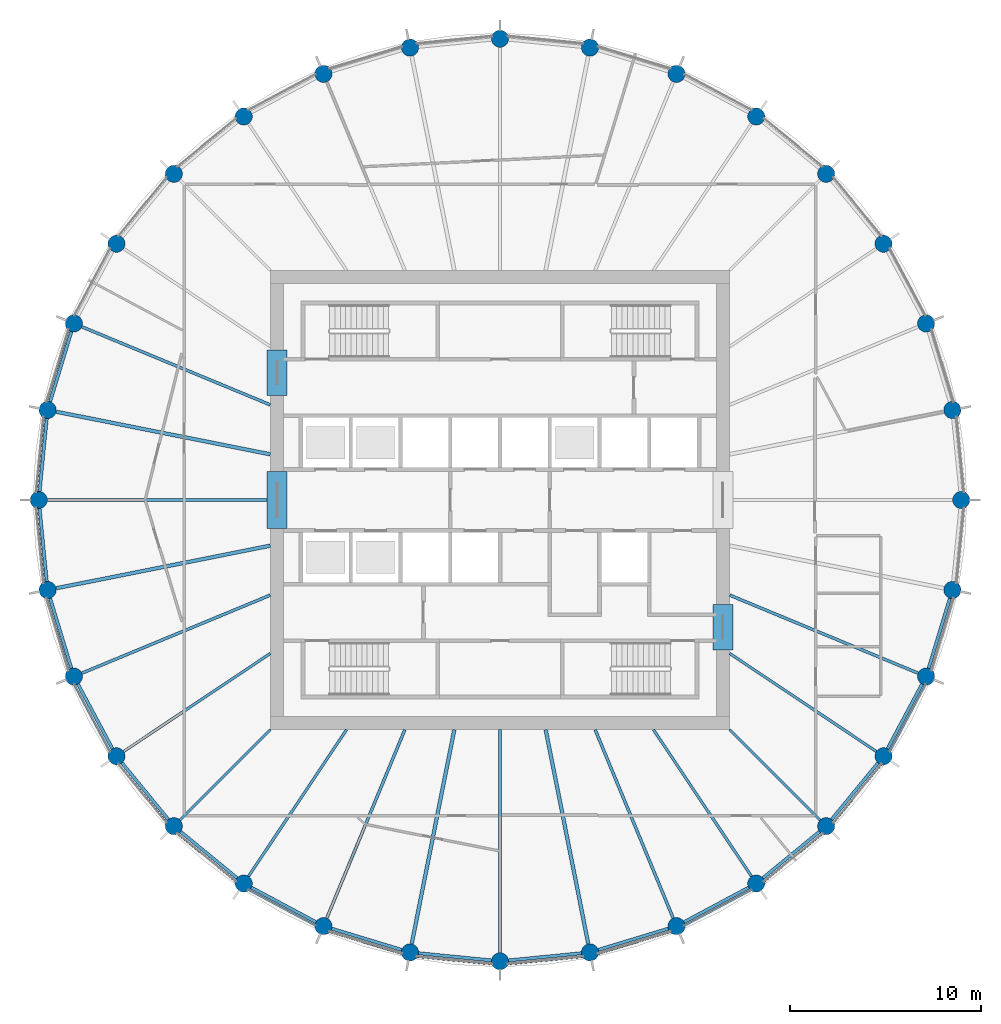
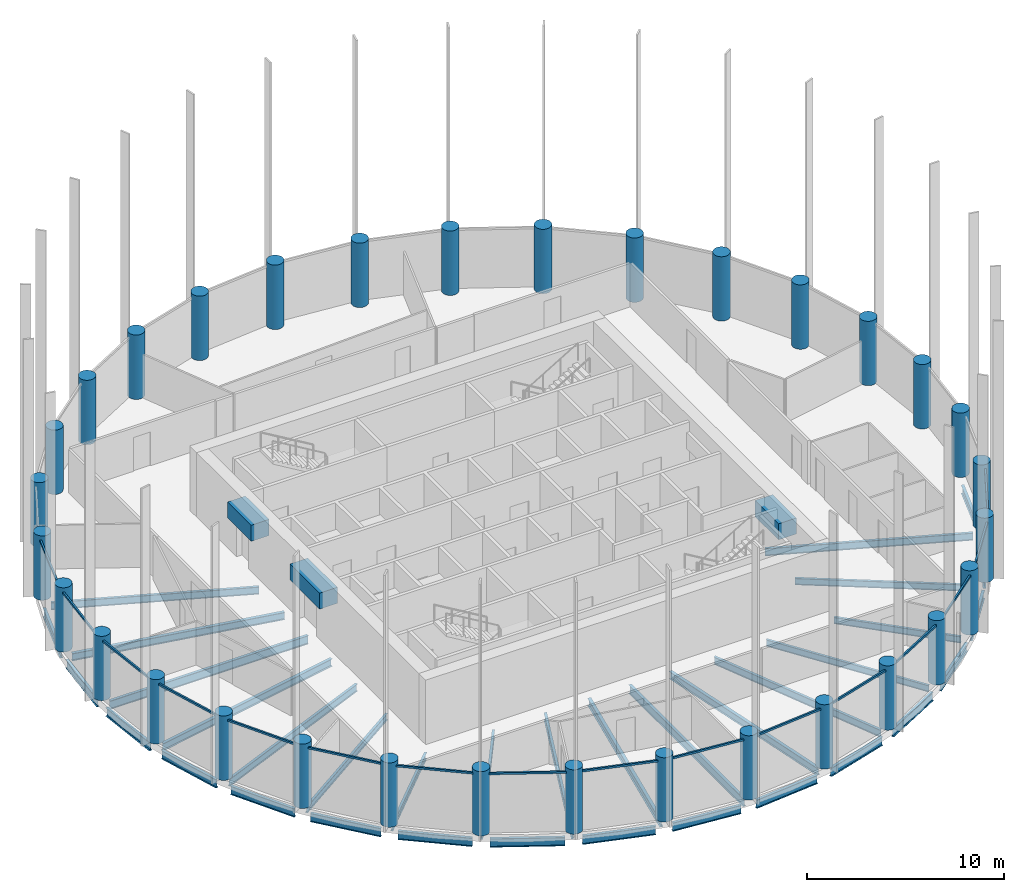
# One storey, part 1 of 9: 37 beams, 32 columns, 16 members, 16 elements without a shape of their own.
"""IFC4 building model written with IfcOpenShell, lengths in metres."""

from ifc_helpers import new_model, si_unit, direction, frame, origin, origin_2d, place, context, subcontext, project, spatial, rectangle, circle, i_section, extrude, material, material_profile, profile_set, type_object, element, aggregate, save


model = new_model("IFC4")

# Units and contexts
model_context = context("Model", 3, precision=1e-05, world=origin(), true_north=direction((0.0, 1.0)))
body_context = subcontext(model_context, "Body", "Model", "MODEL_VIEW")
ifc_project = project(units=[si_unit("LENGTHUNIT", "METRE"), si_unit("AREAUNIT", "SQUARE_METRE"), si_unit("VOLUMEUNIT", "CUBIC_METRE"), si_unit("PLANEANGLEUNIT", "RADIAN"), si_unit("MASSUNIT", "GRAM", prefix="KILO")], contexts=[model_context])

# Site, building, storey
site_placement = place(None, origin())
site = spatial("IfcSite", under=ifc_project, at=site_placement, CompositionType="ELEMENT")
building_placement = place(site_placement, origin())
building = spatial("IfcBuilding", under=site, at=building_placement, Name="Corvane Civic Tower", CompositionType="ELEMENT")
storey_placement = place(building_placement, frame((0.0, 0.0, 263.0)))
storey = spatial("IfcBuildingStorey", under=building, at=storey_placement, Name="L62", CompositionType="ELEMENT", Elevation=263.0)

# Columns
ifc_material_1 = material(Name="Concrete C60/75", Category="concrete")
ifc_material_profile_1 = material_profile(ifc_material_1, circle(Radius=0.449951171875, at=origin_2d()), Name="COLUMN 900")
ifc_profile_set_1 = profile_set([ifc_material_profile_1], Name="Concrete C60/75")
column_type = type_object("IfcColumnType", Name="RC COLUMN COLUMN 900", PredefinedType="COLUMN", material=ifc_profile_set_1)
for number, where, z_axis, x_axis, name in (
    (1, (0.0, 24.10009765625, 0.0), (0.0, 0.0, 1.0), (1.0, 0.0, 0.0), "COL-L62-E01"),
    (2, (4.70166015625, 23.636962890625, 0.0), (0.0, 0.0, 1.0), (1.0, 0.0, 0.0), "COL-L62-E02"),
    (3, (9.22265625, 22.265380859375, 0.0), (0.0, 0.0, 1.0), (1.0, 0.0, 0.0), "COL-L62-E03"),
    (4, (13.38916015625, 20.038330078125, 0.0), (0.0, 0.0, 1.0), (1.0, 0.0, 0.0), "COL-L62-E04"),
    (5, (17.041259765625, 17.041259765625, 0.0), (0.0, 0.0, 1.0), (1.0, 0.0, 0.0), "COL-L62-E05"),
    (6, (20.038330078125, 13.38916015625, 0.0), (0.0, 0.0, 1.0), (1.0, 0.0, 0.0), "COL-L62-E06"),
    (7, (22.265380859375, 9.22265625, 0.0), (0.0, 0.0, 1.0), (1.0, 0.0, 0.0), "COL-L62-E07"),
    (8, (23.636962890625, 4.70166015625, 0.0), (0.0, 0.0, 1.0), (1.0, 0.0, 0.0), "COL-L62-E08"),
    (9, (24.10009765625, 0.0, 0.0), (0.0, 0.0, 1.0), (1.0, 0.0, 0.0), "COL-L62-E09"),
    (10, (23.636962890625, -4.70166015625, 0.0), (0.0, 0.0, 1.0), (1.0, 0.0, 0.0), "COL-L62-E10"),
    (11, (22.265380859375, -9.22265625, 0.0), (0.0, 0.0, 1.0), (1.0, 0.0, 0.0), "COL-L62-E11"),
    (12, (20.038330078125, -13.38916015625, 0.0), (0.0, 0.0, 1.0), (1.0, 0.0, 0.0), "COL-L62-E12"),
    (13, (17.041259765625, -17.041259765625, 0.0), (0.0, 0.0, 1.0), (1.0, 0.0, 0.0), "COL-L62-E13"),
    (14, (13.38916015625, -20.038330078125, 0.0), (0.0, 0.0, 1.0), (1.0, 0.0, 0.0), "COL-L62-E14"),
    (15, (9.22265625, -22.265380859375, 0.0), (0.0, 0.0, 1.0), (1.0, 0.0, 0.0), "COL-L62-E15"),
    (16, (4.70166015625, -23.636962890625, 0.0), (0.0, 0.0, 1.0), (1.0, 0.0, 0.0), "COL-L62-E16"),
    (17, (0.0, -24.10009765625, 0.0), (0.0, 0.0, 1.0), (1.0, 0.0, 0.0), "COL-L62-E17"),
    (18, (-4.70166015625, -23.636962890625, 0.0), (0.0, 0.0, 1.0), (1.0, 0.0, 0.0), "COL-L62-E18"),
    (19, (-9.22265625, -22.265380859375, 0.0), (0.0, 0.0, 1.0), (1.0, 0.0, 0.0), "COL-L62-E19"),
    (20, (-13.38916015625, -20.038330078125, 0.0), (0.0, 0.0, 1.0), (1.0, 0.0, 0.0), "COL-L62-E20"),
    (21, (-17.041259765625, -17.041259765625, 0.0), (0.0, 0.0, 1.0), (1.0, 0.0, 0.0), "COL-L62-E21"),
    (22, (-20.038330078125, -13.38916015625, 0.0), (0.0, 0.0, 1.0), (1.0, 0.0, 0.0), "COL-L62-E22"),
    (23, (-22.265380859375, -9.22265625, 0.0), (0.0, 0.0, 1.0), (1.0, 0.0, 0.0), "COL-L62-E23"),
    (24, (-23.636962890625, -4.70166015625, 0.0), (0.0, 0.0, 1.0), (1.0, 0.0, 0.0), "COL-L62-E24"),
    (25, (-24.10009765625, 0.0, 0.0), (0.0, 0.0, 1.0), (1.0, 0.0, 0.0), "COL-L62-E25"),
    (26, (-23.636962890625, 4.70166015625, 0.0), (0.0, 0.0, 1.0), (1.0, 0.0, 0.0), "COL-L62-E26"),
    (27, (-22.265380859375, 9.22265625, 0.0), (0.0, 0.0, 1.0), (1.0, 0.0, 0.0), "COL-L62-E27"),
    (28, (-20.038330078125, 13.38916015625, 0.0), (0.0, 0.0, 1.0), (1.0, 0.0, 0.0), "COL-L62-E28"),
    (29, (-17.041259765625, 17.041259765625, 0.0), (0.0, 0.0, 1.0), (1.0, 0.0, 0.0), "COL-L62-E29"),
    (30, (-13.38916015625, 20.038330078125, 0.0), (0.0, 0.0, 1.0), (1.0, 0.0, 0.0), "COL-L62-E30"),
    (31, (-9.22265625, 22.265380859375, 0.0), (0.0, 0.0, 1.0), (1.0, 0.0, 0.0), "COL-L62-E31"),
    (32, (-4.70166015625, 23.636962890625, 0.0), (0.0, 0.0, 1.0), (1.0, 0.0, 0.0), "COL-L62-E32"),
):
    element("IfcColumn", number, at=place(storey_placement, frame(where, z_axis=z_axis, x_axis=x_axis)), inside=storey, type_object=column_type, Name=name, PredefinedType="COLUMN", context=body_context, shape_type="SweptSolid", body=[
        extrude(circle(Radius=0.449951171875, at=origin_2d()), origin(), (0.0, 0.0, 1.0), 4.0),
    ])

# Beams
ifc_material_2 = material(Name="Concrete C40/50", Category="concrete")
ifc_material_profile_2 = material_profile(ifc_material_2, rectangle(XDim=1.050048828125, YDim=1.0, at=origin_2d()), Name="COUPLING BEAM 1050X1000")
ifc_profile_set_2 = profile_set([ifc_material_profile_2], Name="Concrete C40/50")
beam_type_1 = type_object("IfcBeamType", Name="COUPLING BEAM COUPLING BEAM 1050X1000", PredefinedType="BEAM", material=ifc_profile_set_2)
beam_1_placement = place(storey_placement, frame((-11.64990234375, -1.5, 2.60009765625), z_axis=(0.0, 1.0, 0.0), x_axis=(-1.0, 0.0, 0.0)))
element("IfcBeam", 33, at=beam_1_placement, inside=storey, type_object=beam_type_1, Name="BM-L62-cpl-CW-LW", PredefinedType="BEAM", context=body_context, shape_type="SweptSolid", body=[
    extrude(rectangle(XDim=1.050048828125, YDim=1.0, at=origin_2d()), origin(), (0.0, 0.0, 1.0), 3.0),
])
for number, where, z_axis, x_axis, name in (
    (34, (-11.64990234375, 5.449951171875, 2.60009765625), (0.0, 1.0, 0.0), (-1.0, 0.0, 0.0), "BM-L62-cpl-CW-WN"),
    (35, (11.64990234375, -7.85009765625, 2.60009765625), (0.0, 1.0, 0.0), (-1.0, 0.0, 0.0), "BM-L62-cpl-CW-ES"),
):
    element("IfcBeam", number, at=place(storey_placement, frame(where, z_axis=z_axis, x_axis=x_axis)), inside=storey, type_object=beam_type_1, Name=name, PredefinedType="BEAM", context=body_context, shape_type="SweptSolid", body=[
        extrude(rectangle(XDim=1.050048828125, YDim=1.0, at=origin_2d()), origin(), (0.0, 0.0, 1.0), 2.400146484375),
    ])
ifc_material_3 = material(Name="Steel ASTM A992 Gr 50", Category="steel")
ifc_material_profile_3 = material_profile(ifc_material_3, i_section(OverallWidth=0.165771484375, OverallDepth=0.5283203125, WebThickness=0.009765625, FlangeThickness=0.013671875, at=origin_2d()), Name="W21X50")
ifc_profile_set_3 = profile_set([ifc_material_profile_3], Name="Steel ASTM A992 Gr 50")
beam_type_2 = type_object("IfcBeamType", Name="EDGE BEAM W21X50", PredefinedType="BEAM", material=ifc_profile_set_3)
beam_2_placement = place(storey_placement, frame((23.50634765625, -5.13232421875, -0.714111328125), z_axis=(-0.290333385085, -0.95692555902, 0.0), x_axis=(0.95692555902, -0.290333385085, 0.0)))
element("IfcBeam", 36, at=beam_2_placement, inside=storey, type_object=beam_type_2, Name="BM-L62-E10", PredefinedType="BEAM", context=body_context, shape_type="SweptSolid", body=[
    extrude(i_section(OverallWidth=0.165771484375, OverallDepth=0.5283203125, WebThickness=0.009765625, FlangeThickness=0.013671875, at=origin_2d()), origin(), (0.0, 0.0, 1.0), 3.824462890625),
])
beam_3_placement = place(storey_placement, frame((22.05322265625, -9.61962890625, -0.714111328125), z_axis=(-0.471409804487, -0.881914279413, 0.0), x_axis=(0.881914279413, -0.471409804487, 0.0)))
element("IfcBeam", 37, at=beam_3_placement, inside=storey, type_object=beam_type_2, Name="BM-L62-E11", PredefinedType="BEAM", context=body_context, shape_type="SweptSolid", body=[
    extrude(i_section(OverallWidth=0.165771484375, OverallDepth=0.5283203125, WebThickness=0.009765625, FlangeThickness=0.013671875, at=origin_2d()), origin(), (0.0, 0.0, 1.0), 3.82421875),
])
for number, where, z_axis, x_axis, name in (
    (38, (19.7529296875, -13.737060546875, -0.714111328125), (-0.634408562057, -0.772997914867, 0.0), (0.772997914867, -0.634408562057, 0.0), "BM-L62-E12"),
    (39, (16.693359375, -17.32666015625, -0.714111328125), (-0.772997914867, -0.634408562057, 0.0), (0.634408562057, -0.772997914867, 0.0), "BM-L62-E13"),
):
    element("IfcBeam", number, at=place(storey_placement, frame(where, z_axis=z_axis, x_axis=x_axis)), inside=storey, type_object=beam_type_2, Name=name, PredefinedType="BEAM", context=body_context, shape_type="SweptSolid", body=[
        extrude(i_section(OverallWidth=0.165771484375, OverallDepth=0.5283203125, WebThickness=0.009765625, FlangeThickness=0.013671875, at=origin_2d()), origin(), (0.0, 0.0, 1.0), 3.824462890625),
    ])
beam_4_placement = place(storey_placement, frame((12.9921875, -20.25048828125, -0.714111328125), z_axis=(-0.881914279413, -0.471409804487, 0.0), x_axis=(0.471409804487, -0.881914279413, 0.0)))
element("IfcBeam", 40, at=beam_4_placement, inside=storey, type_object=beam_type_2, Name="BM-L62-E14", PredefinedType="BEAM", context=body_context, shape_type="SweptSolid", body=[
    extrude(i_section(OverallWidth=0.165771484375, OverallDepth=0.5283203125, WebThickness=0.009765625, FlangeThickness=0.013671875, at=origin_2d()), origin(), (0.0, 0.0, 1.0), 3.82421875),
])
for number, where, z_axis, x_axis, name in (
    (41, (8.7919921875, -22.39599609375, -0.714111328125), (-0.95692555902, -0.290333385085, 0.0), (0.290333385085, -0.95692555902, 0.0), "BM-L62-E15"),
    (42, (4.25390625, -23.68115234375, -0.714111328125), (-0.995187721162, -0.097986732007, 0.0), (0.097986732007, -0.995187721162, 0.0), "BM-L62-E16"),
    (43, (-0.44775390625, -24.055908203125, -0.714111328125), (-0.995187721162, 0.097986732007, 0.0), (-0.097986732007, -0.995187721162, 0.0), "BM-L62-E17"),
    (44, (-5.13232421875, -23.50634765625, -0.714111328125), (-0.95692555902, 0.290333385085, 0.0), (-0.290333385085, -0.95692555902, 0.0), "BM-L62-E18"),
):
    element("IfcBeam", number, at=place(storey_placement, frame(where, z_axis=z_axis, x_axis=x_axis)), inside=storey, type_object=beam_type_2, Name=name, PredefinedType="BEAM", context=body_context, shape_type="SweptSolid", body=[
        extrude(i_section(OverallWidth=0.165771484375, OverallDepth=0.5283203125, WebThickness=0.009765625, FlangeThickness=0.013671875, at=origin_2d()), origin(), (0.0, 0.0, 1.0), 3.824462890625),
    ])
beam_5_placement = place(storey_placement, frame((-9.61962890625, -22.05322265625, -0.714111328125), z_axis=(-0.881914279413, 0.471409804487, 0.0), x_axis=(-0.471409804487, -0.881914279413, 0.0)))
element("IfcBeam", 45, at=beam_5_placement, inside=storey, type_object=beam_type_2, Name="BM-L62-E19", PredefinedType="BEAM", context=body_context, shape_type="SweptSolid", body=[
    extrude(i_section(OverallWidth=0.165771484375, OverallDepth=0.5283203125, WebThickness=0.009765625, FlangeThickness=0.013671875, at=origin_2d()), origin(), (0.0, 0.0, 1.0), 3.82421875),
])
for number, where, z_axis, x_axis, name in (
    (46, (-13.737060546875, -19.7529296875, -0.714111328125), (-0.772997914867, 0.634408562057, 0.0), (-0.634408562057, -0.772997914867, 0.0), "BM-L62-E20"),
    (47, (-17.32666015625, -16.693359375, -0.714111328125), (-0.634408562057, 0.772997914867, 0.0), (-0.772997914867, -0.634408562057, 0.0), "BM-L62-E21"),
):
    element("IfcBeam", number, at=place(storey_placement, frame(where, z_axis=z_axis, x_axis=x_axis)), inside=storey, type_object=beam_type_2, Name=name, PredefinedType="BEAM", context=body_context, shape_type="SweptSolid", body=[
        extrude(i_section(OverallWidth=0.165771484375, OverallDepth=0.5283203125, WebThickness=0.009765625, FlangeThickness=0.013671875, at=origin_2d()), origin(), (0.0, 0.0, 1.0), 3.824462890625),
    ])
beam_6_placement = place(storey_placement, frame((-20.25048828125, -12.9921875, -0.714111328125), z_axis=(-0.471409804487, 0.881914279413, 0.0), x_axis=(-0.881914279413, -0.471409804487, 0.0)))
element("IfcBeam", 48, at=beam_6_placement, inside=storey, type_object=beam_type_2, Name="BM-L62-E22", PredefinedType="BEAM", context=body_context, shape_type="SweptSolid", body=[
    extrude(i_section(OverallWidth=0.165771484375, OverallDepth=0.5283203125, WebThickness=0.009765625, FlangeThickness=0.013671875, at=origin_2d()), origin(), (0.0, 0.0, 1.0), 3.82421875),
])
for number, where, z_axis, x_axis, name in (
    (49, (-22.39599609375, -8.7919921875, -0.714111328125), (-0.290333385085, 0.95692555902, 0.0), (-0.95692555902, -0.290333385085, 0.0), "BM-L62-E23"),
    (50, (-23.68115234375, -4.25390625, -0.714111328125), (-0.097986732007, 0.995187721162, 0.0), (-0.995187721162, -0.097986732007, 0.0), "BM-L62-E24"),
    (51, (-24.055908203125, 0.44775390625, -0.714111328125), (0.097986732007, 0.995187721162, 0.0), (-0.995187721162, 0.097986732007, 0.0), "BM-L62-E25"),
    (52, (-23.50634765625, 5.13232421875, -0.714111328125), (0.290333385085, 0.95692555902, 0.0), (-0.95692555902, 0.290333385085, 0.0), "BM-L62-E26"),
):
    element("IfcBeam", number, at=place(storey_placement, frame(where, z_axis=z_axis, x_axis=x_axis)), inside=storey, type_object=beam_type_2, Name=name, PredefinedType="BEAM", context=body_context, shape_type="SweptSolid", body=[
        extrude(i_section(OverallWidth=0.165771484375, OverallDepth=0.5283203125, WebThickness=0.009765625, FlangeThickness=0.013671875, at=origin_2d()), origin(), (0.0, 0.0, 1.0), 3.824462890625),
    ])
ifc_material_4 = material(Name="Steel ASTM A992 Gr 50", Category="steel")
ifc_material_profile_4 = material_profile(ifc_material_4, i_section(OverallWidth=0.140380859375, OverallDepth=0.40380859375, WebThickness=0.007080078125, FlangeThickness=0.01123046875, at=origin_2d()), Name="W16X31")
ifc_profile_set_4 = profile_set([ifc_material_profile_4], Name="Steel ASTM A992 Gr 50")
beam_type_3 = type_object("IfcBeamType", Name="FLOOR GIRDER W16X31", PredefinedType="BEAM", material=ifc_profile_set_4)
beam_7_placement = place(storey_placement, frame((12.0, -8.01806640625, -0.65185546875), z_axis=(0.831471227061, -0.555567816355, 0.0), x_axis=(0.555567816355, 0.831471227061, 0.0)))
element("IfcBeam", 53, at=beam_7_placement, inside=storey, type_object=beam_type_3, Name="BM-L62-G12", PredefinedType="BEAM", context=body_context, shape_type="SweptSolid", body=[
    extrude(i_section(OverallWidth=0.140380859375, OverallDepth=0.40380859375, WebThickness=0.007080078125, FlangeThickness=0.01123046875, at=origin_2d()), origin(), (0.0, 0.0, 1.0), 9.2177734375),
])
beam_8_placement = place(storey_placement, frame((12.0, -12.0, -0.65185546875), z_axis=(0.707106781187, -0.707106781187, 0.0), x_axis=(0.707106781187, 0.707106781187, 0.0)))
element("IfcBeam", 54, at=beam_8_placement, inside=storey, type_object=beam_type_3, Name="BM-L62-G13", PredefinedType="BEAM", context=body_context, shape_type="SweptSolid", body=[
    extrude(i_section(OverallWidth=0.140380859375, OverallDepth=0.40380859375, WebThickness=0.007080078125, FlangeThickness=0.01123046875, at=origin_2d()), origin(), (0.0, 0.0, 1.0), 6.679443359375),
])
for number, where, z_axis, x_axis, name in (
    (55, (8.01806640625, -12.0, -0.65185546875), (0.555567816355, -0.831471227061, 0.0), (0.831471227061, 0.555567816355, 0.0), "BM-L62-G14"),
    (56, (-8.01806640625, -12.0, -0.65185546875), (-0.555567816355, -0.831471227061, 0.0), (0.831471227061, -0.555567816355, 0.0), "BM-L62-G20"),
):
    element("IfcBeam", number, at=place(storey_placement, frame(where, z_axis=z_axis, x_axis=x_axis)), inside=storey, type_object=beam_type_3, Name=name, PredefinedType="BEAM", context=body_context, shape_type="SweptSolid", body=[
        extrude(i_section(OverallWidth=0.140380859375, OverallDepth=0.40380859375, WebThickness=0.007080078125, FlangeThickness=0.01123046875, at=origin_2d()), origin(), (0.0, 0.0, 1.0), 9.2177734375),
    ])
beam_9_placement = place(storey_placement, frame((-12.0, -12.0, -0.65185546875), z_axis=(-0.707106781187, -0.707106781187, 0.0), x_axis=(0.707106781187, -0.707106781187, 0.0)))
element("IfcBeam", 57, at=beam_9_placement, inside=storey, type_object=beam_type_3, Name="BM-L62-G21", PredefinedType="BEAM", context=body_context, shape_type="SweptSolid", body=[
    extrude(i_section(OverallWidth=0.140380859375, OverallDepth=0.40380859375, WebThickness=0.007080078125, FlangeThickness=0.01123046875, at=origin_2d()), origin(), (0.0, 0.0, 1.0), 6.679443359375),
])
beam_10_placement = place(storey_placement, frame((-12.0, -8.01806640625, -0.65185546875), z_axis=(-0.831471227061, -0.555567816355, 0.0), x_axis=(0.555567816355, -0.831471227061, 0.0)))
element("IfcBeam", 58, at=beam_10_placement, inside=storey, type_object=beam_type_3, Name="BM-L62-G22", PredefinedType="BEAM", context=body_context, shape_type="SweptSolid", body=[
    extrude(i_section(OverallWidth=0.140380859375, OverallDepth=0.40380859375, WebThickness=0.007080078125, FlangeThickness=0.01123046875, at=origin_2d()), origin(), (0.0, 0.0, 1.0), 9.2177734375),
])
ifc_material_5 = material(Name="Steel ASTM A992 Gr 50", Category="steel")
ifc_material_profile_5 = material_profile(ifc_material_5, i_section(OverallWidth=0.15283203125, OverallDepth=0.45458984375, WebThickness=0.008056640625, FlangeThickness=0.013427734375, at=origin_2d()), Name="W18X40")
ifc_profile_set_5 = profile_set([ifc_material_profile_5], Name="Steel ASTM A992 Gr 50")
beam_type_4 = type_object("IfcBeamType", Name="FLOOR GIRDER W18X40", PredefinedType="BEAM", material=ifc_profile_set_5)
for number, where, z_axis, x_axis, name in (
    (59, (12.0, -4.970458984375, -0.67724609375), (0.923875048589, -0.382694257331, 0.0), (0.382694257331, 0.923875048589, 0.0), "BM-L62-G11"),
    (60, (4.970458984375, -12.0, -0.67724609375), (0.382694257331, -0.923875048589, 0.0), (0.923875048589, 0.382694257331, 0.0), "BM-L62-G15"),
    (61, (-4.970458984375, -12.0, -0.67724609375), (-0.382694257331, -0.923875048589, 0.0), (0.923875048589, -0.382694257331, 0.0), "BM-L62-G19"),
    (62, (-12.0, -4.970458984375, -0.67724609375), (-0.923875048589, -0.382694257331, 0.0), (0.382694257331, -0.923875048589, 0.0), "BM-L62-G23"),
    (63, (-12.0, 4.970458984375, -0.67724609375), (-0.923875048589, 0.382694257331, 0.0), (-0.382694257331, -0.923875048589, 0.0), "BM-L62-G27"),
):
    element("IfcBeam", number, at=place(storey_placement, frame(where, z_axis=z_axis, x_axis=x_axis)), inside=storey, type_object=beam_type_4, Name=name, PredefinedType="BEAM", context=body_context, shape_type="SweptSolid", body=[
        extrude(i_section(OverallWidth=0.15283203125, OverallDepth=0.45458984375, WebThickness=0.008056640625, FlangeThickness=0.013427734375, at=origin_2d()), origin(), (0.0, 0.0, 1.0), 10.661376953125),
    ])
ifc_material_6 = material(Name="Steel ASTM A992 Gr 50", Category="steel")
ifc_material_profile_6 = material_profile(ifc_material_6, i_section(OverallWidth=0.1904296875, OverallDepth=0.457275390625, WebThickness=0.009033203125, FlangeThickness=0.014404296875, at=origin_2d()), Name="W18X50")
ifc_profile_set_6 = profile_set([ifc_material_profile_6], Name="Steel ASTM A992 Gr 50")
beam_type_5 = type_object("IfcBeamType", Name="FLOOR GIRDER W18X50", PredefinedType="BEAM", material=ifc_profile_set_6)
for number, where, z_axis, x_axis, name in (
    (64, (2.386962890625, -12.0, -0.6787109375), (0.195079532402, -0.980787426529, 0.0), (0.980787426529, 0.195079532402, 0.0), "BM-L62-G16"),
    (65, (-2.386962890625, -12.0, -0.6787109375), (-0.195079532402, -0.980787426529, 0.0), (0.980787426529, -0.195079532402, 0.0), "BM-L62-G18"),
    (66, (-12.0, -2.386962890625, -0.6787109375), (-0.980787426529, -0.195079532402, 0.0), (0.195079532402, -0.980787426529, 0.0), "BM-L62-G24"),
    (67, (-12.0, 2.386962890625, -0.6787109375), (-0.980787426529, 0.195079532402, 0.0), (-0.195079532402, -0.980787426529, 0.0), "BM-L62-G26"),
):
    element("IfcBeam", number, at=place(storey_placement, frame(where, z_axis=z_axis, x_axis=x_axis)), inside=storey, type_object=beam_type_5, Name=name, PredefinedType="BEAM", context=body_context, shape_type="SweptSolid", body=[
        extrude(i_section(OverallWidth=0.1904296875, OverallDepth=0.457275390625, WebThickness=0.009033203125, FlangeThickness=0.014404296875, at=origin_2d()), origin(), (0.0, 0.0, 1.0), 11.414794921875),
    ])
ifc_material_7 = material(Name="Steel ASTM A992 Gr 50", Category="steel")
ifc_material_profile_7 = material_profile(ifc_material_7, i_section(OverallWidth=0.165771484375, OverallDepth=0.5283203125, WebThickness=0.009765625, FlangeThickness=0.013671875, at=origin_2d()), Name="W21X50")
ifc_profile_set_7 = profile_set([ifc_material_profile_7], Name="Steel ASTM A992 Gr 50")
beam_type_6 = type_object("IfcBeamType", Name="FLOOR GIRDER W21X50", PredefinedType="BEAM", material=ifc_profile_set_7)
for number, where, z_axis, x_axis, name in (
    (68, (0.0, -12.0, -0.714111328125), (0.0, -1.0, 0.0), (1.0, 0.0, 0.0), "BM-L62-G17"),
    (69, (-12.0, 0.0, -0.714111328125), (-1.0, 0.0, 0.0), (0.0, -1.0, 0.0), "BM-L62-G25"),
):
    element("IfcBeam", number, at=place(storey_placement, frame(where, z_axis=z_axis, x_axis=x_axis)), inside=storey, type_object=beam_type_6, Name=name, PredefinedType="BEAM", context=body_context, shape_type="SweptSolid", body=[
        extrude(i_section(OverallWidth=0.165771484375, OverallDepth=0.5283203125, WebThickness=0.009765625, FlangeThickness=0.013671875, at=origin_2d()), origin(), (0.0, 0.0, 1.0), 11.64990234375),
    ])

# Curtain wall, member
ifc_material_8 = material(Name="Anodised aluminium bronze", Category="aluminium")
curtain_wall_type = type_object("IfcCurtainWallType", Name="TOWER CW-T3 STICK CURTAIN WALL", PredefinedType="NOTDEFINED", material=ifc_material_8)
curtain_wall_1_placement = place(storey_placement, origin())
curtain_wall_1 = element("IfcCurtainWall", 70, at=curtain_wall_1_placement, inside=storey, type_object=curtain_wall_type, Name="Curtain wall CW-T3 L62 bay 11", PredefinedType="NOTDEFINED")
ifc_material_9 = material(Name="Anodised aluminium bronze", Category="aluminium")
ifc_material_profile_8 = material_profile(ifc_material_9, rectangle(XDim=0.10009765625, YDim=0.1201171875, at=origin_2d()), Name="TOWER CW-T3 TRANSOM 100x120")
ifc_profile_set_8 = profile_set([ifc_material_profile_8], Name="Anodised aluminium bronze")
member_type = type_object("IfcMemberType", Name="TOWER CW-T3 TRANSOM 100x120", PredefinedType="USERDEFINED", material=ifc_profile_set_8)
member_1_placement = place(storey_placement, frame((22.2431640625, -9.644775390625, 3.68994140625), z_axis=(-0.471468241052, -0.881883040816, 0.0), x_axis=(0.881883040816, -0.471468241052, 0.0)))
member_1 = element("IfcMember", 71, at=member_1_placement, type_object=member_type, Name="Transom CW-T3 L62 11.1", ObjectType="TRANSOM", PredefinedType="USERDEFINED", context=body_context, shape_type="SweptSolid", body=[
    extrude(rectangle(XDim=0.10009765625, YDim=0.1201171875, at=origin_2d()), origin(), (0.0, 0.0, 1.0), 3.958740234375),
])
aggregate(curtain_wall_1, [member_1])

curtain_wall_2_placement = place(storey_placement, origin())
curtain_wall_2 = element("IfcCurtainWall", 72, at=curtain_wall_2_placement, inside=storey, type_object=curtain_wall_type, Name="Curtain wall CW-T3 L62 bay 12", PredefinedType="NOTDEFINED")
member_2_placement = place(storey_placement, frame((19.93408203125, -13.798828125, 3.68994140625), z_axis=(-0.634415838373, -0.772991943051, 0.0), x_axis=(0.772991943051, -0.634415838373, 0.0)))
member_2 = element("IfcMember", 73, at=member_2_placement, type_object=member_type, Name="Transom CW-T3 L62 12.1", ObjectType="TRANSOM", PredefinedType="USERDEFINED", context=body_context, shape_type="SweptSolid", body=[
    extrude(rectangle(XDim=0.10009765625, YDim=0.1201171875, at=origin_2d()), origin(), (0.0, 0.0, 1.0), 3.958740234375),
])
aggregate(curtain_wall_2, [member_2])

curtain_wall_3_placement = place(storey_placement, origin())
curtain_wall_3 = element("IfcCurtainWall", 74, at=curtain_wall_3_placement, inside=storey, type_object=curtain_wall_type, Name="Curtain wall CW-T3 L62 bay 13", PredefinedType="NOTDEFINED")
member_3_placement = place(storey_placement, frame((16.85888671875, -17.422607421875, 3.68994140625), z_axis=(-0.772991943051, -0.634415838373, 0.0), x_axis=(0.634415838373, -0.772991943051, 0.0)))
member_3 = element("IfcMember", 75, at=member_3_placement, type_object=member_type, Name="Transom CW-T3 L62 13.1", ObjectType="TRANSOM", PredefinedType="USERDEFINED", context=body_context, shape_type="SweptSolid", body=[
    extrude(rectangle(XDim=0.10009765625, YDim=0.1201171875, at=origin_2d()), origin(), (0.0, 0.0, 1.0), 3.958740234375),
])
aggregate(curtain_wall_3, [member_3])

curtain_wall_4_placement = place(storey_placement, origin())
curtain_wall_4 = element("IfcCurtainWall", 76, at=curtain_wall_4_placement, inside=storey, type_object=curtain_wall_type, Name="Curtain wall CW-T3 L62 bay 14", PredefinedType="NOTDEFINED")
member_4_placement = place(storey_placement, frame((13.135986328125, -20.376708984375, 3.68994140625), z_axis=(-0.881883040816, -0.471468241052, 0.0), x_axis=(0.471468241052, -0.881883040816, 0.0)))
member_4 = element("IfcMember", 77, at=member_4_placement, type_object=member_type, Name="Transom CW-T3 L62 14.1", ObjectType="TRANSOM", PredefinedType="USERDEFINED", context=body_context, shape_type="SweptSolid", body=[
    extrude(rectangle(XDim=0.10009765625, YDim=0.1201171875, at=origin_2d()), origin(), (0.0, 0.0, 1.0), 3.958740234375),
])
aggregate(curtain_wall_4, [member_4])

curtain_wall_5_placement = place(storey_placement, origin())
curtain_wall_5 = element("IfcCurtainWall", 78, at=curtain_wall_5_placement, inside=storey, type_object=curtain_wall_type, Name="Curtain wall CW-T3 L62 bay 15", PredefinedType="NOTDEFINED")
member_5_placement = place(storey_placement, frame((8.908447265625, -22.548095703125, 3.68994140625), z_axis=(-0.956946054205, -0.290265825309, 0.0), x_axis=(0.290265825309, -0.956946054205, 0.0)))
member_5 = element("IfcMember", 79, at=member_5_placement, type_object=member_type, Name="Transom CW-T3 L62 15.1", ObjectType="TRANSOM", PredefinedType="USERDEFINED", context=body_context, shape_type="SweptSolid", body=[
    extrude(rectangle(XDim=0.10009765625, YDim=0.1201171875, at=origin_2d()), origin(), (0.0, 0.0, 1.0), 3.958984375),
])
aggregate(curtain_wall_5, [member_5])

curtain_wall_6_placement = place(storey_placement, origin())
curtain_wall_6 = element("IfcCurtainWall", 80, at=curtain_wall_6_placement, inside=storey, type_object=curtain_wall_type, Name="Curtain wall CW-T3 L62 bay 16", PredefinedType="NOTDEFINED")
member_6_placement = place(storey_placement, frame((4.338134765625, -23.852783203125, 3.68994140625), z_axis=(-0.995186866683, -0.097995409999, 0.0), x_axis=(0.097995409999, -0.995186866683, 0.0)))
member_6 = element("IfcMember", 81, at=member_6_placement, type_object=member_type, Name="Transom CW-T3 L62 16.1", ObjectType="TRANSOM", PredefinedType="USERDEFINED", context=body_context, shape_type="SweptSolid", body=[
    extrude(rectangle(XDim=0.10009765625, YDim=0.1201171875, at=origin_2d()), origin(), (0.0, 0.0, 1.0), 3.958740234375),
])
aggregate(curtain_wall_6, [member_6])

curtain_wall_7_placement = place(storey_placement, origin())
curtain_wall_7 = element("IfcCurtainWall", 82, at=curtain_wall_7_placement, inside=storey, type_object=curtain_wall_type, Name="Curtain wall CW-T3 L62 bay 17", PredefinedType="NOTDEFINED")
member_7_placement = place(storey_placement, frame((-0.3984375, -24.24072265625, 3.68994140625), z_axis=(-0.995186866683, 0.097995409999, 0.0), x_axis=(-0.097995409999, -0.995186866683, 0.0)))
member_7 = element("IfcMember", 83, at=member_7_placement, type_object=member_type, Name="Transom CW-T3 L62 17.1", ObjectType="TRANSOM", PredefinedType="USERDEFINED", context=body_context, shape_type="SweptSolid", body=[
    extrude(rectangle(XDim=0.10009765625, YDim=0.1201171875, at=origin_2d()), origin(), (0.0, 0.0, 1.0), 3.958740234375),
])
aggregate(curtain_wall_7, [member_7])

curtain_wall_8_placement = place(storey_placement, origin())
curtain_wall_8 = element("IfcCurtainWall", 84, at=curtain_wall_8_placement, inside=storey, type_object=curtain_wall_type, Name="Curtain wall CW-T3 L62 bay 18", PredefinedType="NOTDEFINED")
member_8_placement = place(storey_placement, frame((-5.119873046875, -23.697265625, 3.68994140625), z_axis=(-0.956946054205, 0.290265825309, 0.0), x_axis=(-0.290265825309, -0.956946054205, 0.0)))
member_8 = element("IfcMember", 85, at=member_8_placement, type_object=member_type, Name="Transom CW-T3 L62 18.1", ObjectType="TRANSOM", PredefinedType="USERDEFINED", context=body_context, shape_type="SweptSolid", body=[
    extrude(rectangle(XDim=0.10009765625, YDim=0.1201171875, at=origin_2d()), origin(), (0.0, 0.0, 1.0), 3.958984375),
])
aggregate(curtain_wall_8, [member_8])

curtain_wall_9_placement = place(storey_placement, origin())
curtain_wall_9 = element("IfcCurtainWall", 86, at=curtain_wall_9_placement, inside=storey, type_object=curtain_wall_type, Name="Curtain wall CW-T3 L62 bay 19", PredefinedType="NOTDEFINED")
member_9_placement = place(storey_placement, frame((-9.644775390625, -22.2431640625, 3.68994140625), z_axis=(-0.881883040816, 0.471468241052, 0.0), x_axis=(-0.471468241052, -0.881883040816, 0.0)))
member_9 = element("IfcMember", 87, at=member_9_placement, type_object=member_type, Name="Transom CW-T3 L62 19.1", ObjectType="TRANSOM", PredefinedType="USERDEFINED", context=body_context, shape_type="SweptSolid", body=[
    extrude(rectangle(XDim=0.10009765625, YDim=0.1201171875, at=origin_2d()), origin(), (0.0, 0.0, 1.0), 3.958740234375),
])
aggregate(curtain_wall_9, [member_9])

curtain_wall_10_placement = place(storey_placement, origin())
curtain_wall_10 = element("IfcCurtainWall", 88, at=curtain_wall_10_placement, inside=storey, type_object=curtain_wall_type, Name="Curtain wall CW-T3 L62 bay 20", PredefinedType="NOTDEFINED")
member_10_placement = place(storey_placement, frame((-13.798828125, -19.93408203125, 3.68994140625), z_axis=(-0.772991943051, 0.634415838373, 0.0), x_axis=(-0.634415838373, -0.772991943051, 0.0)))
member_10 = element("IfcMember", 89, at=member_10_placement, type_object=member_type, Name="Transom CW-T3 L62 20.1", ObjectType="TRANSOM", PredefinedType="USERDEFINED", context=body_context, shape_type="SweptSolid", body=[
    extrude(rectangle(XDim=0.10009765625, YDim=0.1201171875, at=origin_2d()), origin(), (0.0, 0.0, 1.0), 3.958740234375),
])
aggregate(curtain_wall_10, [member_10])

curtain_wall_11_placement = place(storey_placement, origin())
curtain_wall_11 = element("IfcCurtainWall", 90, at=curtain_wall_11_placement, inside=storey, type_object=curtain_wall_type, Name="Curtain wall CW-T3 L62 bay 21", PredefinedType="NOTDEFINED")
member_11_placement = place(storey_placement, frame((-17.422607421875, -16.85888671875, 3.68994140625), z_axis=(-0.634415838373, 0.772991943051, 0.0), x_axis=(-0.772991943051, -0.634415838373, 0.0)))
member_11 = element("IfcMember", 91, at=member_11_placement, type_object=member_type, Name="Transom CW-T3 L62 21.1", ObjectType="TRANSOM", PredefinedType="USERDEFINED", context=body_context, shape_type="SweptSolid", body=[
    extrude(rectangle(XDim=0.10009765625, YDim=0.1201171875, at=origin_2d()), origin(), (0.0, 0.0, 1.0), 3.958740234375),
])
aggregate(curtain_wall_11, [member_11])

curtain_wall_12_placement = place(storey_placement, origin())
curtain_wall_12 = element("IfcCurtainWall", 92, at=curtain_wall_12_placement, inside=storey, type_object=curtain_wall_type, Name="Curtain wall CW-T3 L62 bay 22", PredefinedType="NOTDEFINED")
member_12_placement = place(storey_placement, frame((-20.376708984375, -13.135986328125, 3.68994140625), z_axis=(-0.471468241052, 0.881883040816, 0.0), x_axis=(-0.881883040816, -0.471468241052, 0.0)))
member_12 = element("IfcMember", 93, at=member_12_placement, type_object=member_type, Name="Transom CW-T3 L62 22.1", ObjectType="TRANSOM", PredefinedType="USERDEFINED", context=body_context, shape_type="SweptSolid", body=[
    extrude(rectangle(XDim=0.10009765625, YDim=0.1201171875, at=origin_2d()), origin(), (0.0, 0.0, 1.0), 3.958740234375),
])
aggregate(curtain_wall_12, [member_12])

curtain_wall_13_placement = place(storey_placement, origin())
curtain_wall_13 = element("IfcCurtainWall", 94, at=curtain_wall_13_placement, inside=storey, type_object=curtain_wall_type, Name="Curtain wall CW-T3 L62 bay 23", PredefinedType="NOTDEFINED")
member_13_placement = place(storey_placement, frame((-22.548095703125, -8.908447265625, 3.68994140625), z_axis=(-0.290265825309, 0.956946054205, 0.0), x_axis=(-0.956946054205, -0.290265825309, 0.0)))
member_13 = element("IfcMember", 95, at=member_13_placement, type_object=member_type, Name="Transom CW-T3 L62 23.1", ObjectType="TRANSOM", PredefinedType="USERDEFINED", context=body_context, shape_type="SweptSolid", body=[
    extrude(rectangle(XDim=0.10009765625, YDim=0.1201171875, at=origin_2d()), origin(), (0.0, 0.0, 1.0), 3.958984375),
])
aggregate(curtain_wall_13, [member_13])

curtain_wall_14_placement = place(storey_placement, origin())
curtain_wall_14 = element("IfcCurtainWall", 96, at=curtain_wall_14_placement, inside=storey, type_object=curtain_wall_type, Name="Curtain wall CW-T3 L62 bay 24", PredefinedType="NOTDEFINED")
member_14_placement = place(storey_placement, frame((-23.852783203125, -4.338134765625, 3.68994140625), z_axis=(-0.097995409999, 0.995186866683, 0.0), x_axis=(-0.995186866683, -0.097995409999, 0.0)))
member_14 = element("IfcMember", 97, at=member_14_placement, type_object=member_type, Name="Transom CW-T3 L62 24.1", ObjectType="TRANSOM", PredefinedType="USERDEFINED", context=body_context, shape_type="SweptSolid", body=[
    extrude(rectangle(XDim=0.10009765625, YDim=0.1201171875, at=origin_2d()), origin(), (0.0, 0.0, 1.0), 3.958740234375),
])
aggregate(curtain_wall_14, [member_14])

curtain_wall_15_placement = place(storey_placement, origin())
curtain_wall_15 = element("IfcCurtainWall", 98, at=curtain_wall_15_placement, inside=storey, type_object=curtain_wall_type, Name="Curtain wall CW-T3 L62 bay 25", PredefinedType="NOTDEFINED")
member_15_placement = place(storey_placement, frame((-24.24072265625, 0.3984375, 3.68994140625), z_axis=(0.097995409999, 0.995186866683, 0.0), x_axis=(-0.995186866683, 0.097995409999, 0.0)))
member_15 = element("IfcMember", 99, at=member_15_placement, type_object=member_type, Name="Transom CW-T3 L62 25.1", ObjectType="TRANSOM", PredefinedType="USERDEFINED", context=body_context, shape_type="SweptSolid", body=[
    extrude(rectangle(XDim=0.10009765625, YDim=0.1201171875, at=origin_2d()), origin(), (0.0, 0.0, 1.0), 3.958740234375),
])
aggregate(curtain_wall_15, [member_15])

curtain_wall_16_placement = place(storey_placement, origin())
curtain_wall_16 = element("IfcCurtainWall", 100, at=curtain_wall_16_placement, inside=storey, type_object=curtain_wall_type, Name="Curtain wall CW-T3 L62 bay 26", PredefinedType="NOTDEFINED")
member_16_placement = place(storey_placement, frame((-23.697265625, 5.119873046875, 3.68994140625), z_axis=(0.290265825309, 0.956946054205, 0.0), x_axis=(-0.956946054205, 0.290265825309, 0.0)))
member_16 = element("IfcMember", 101, at=member_16_placement, type_object=member_type, Name="Transom CW-T3 L62 26.1", ObjectType="TRANSOM", PredefinedType="USERDEFINED", context=body_context, shape_type="SweptSolid", body=[
    extrude(rectangle(XDim=0.10009765625, YDim=0.1201171875, at=origin_2d()), origin(), (0.0, 0.0, 1.0), 3.958984375),
])
aggregate(curtain_wall_16, [member_16])

save(model, "model.ifc")
